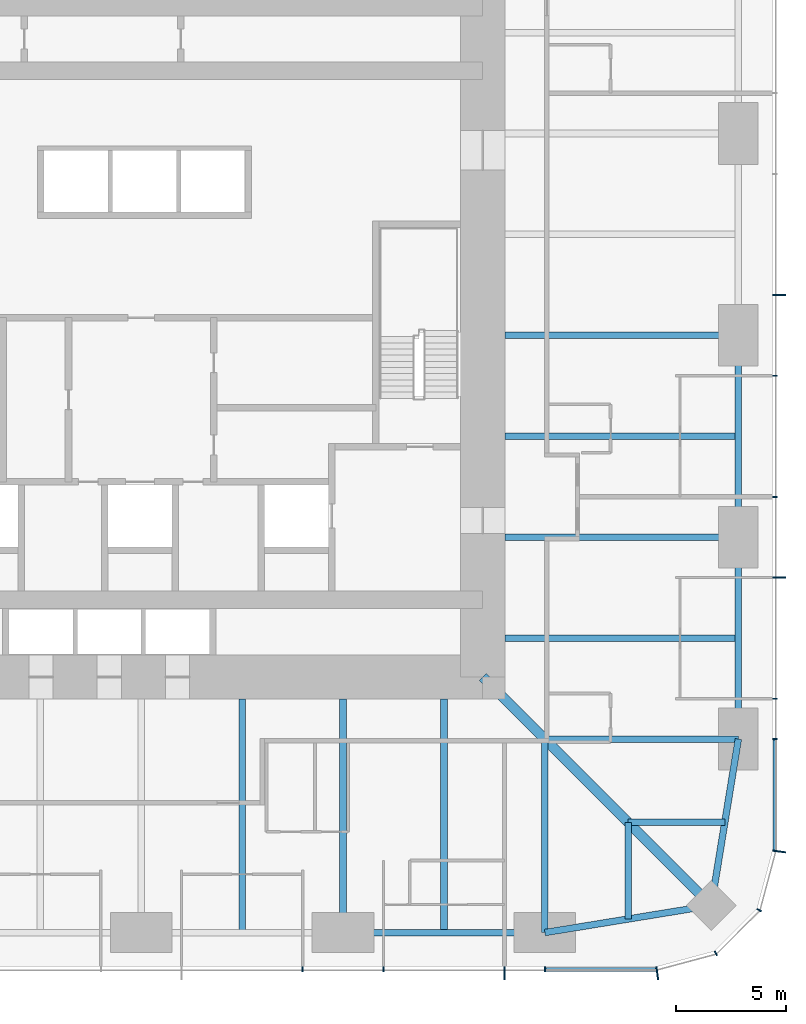
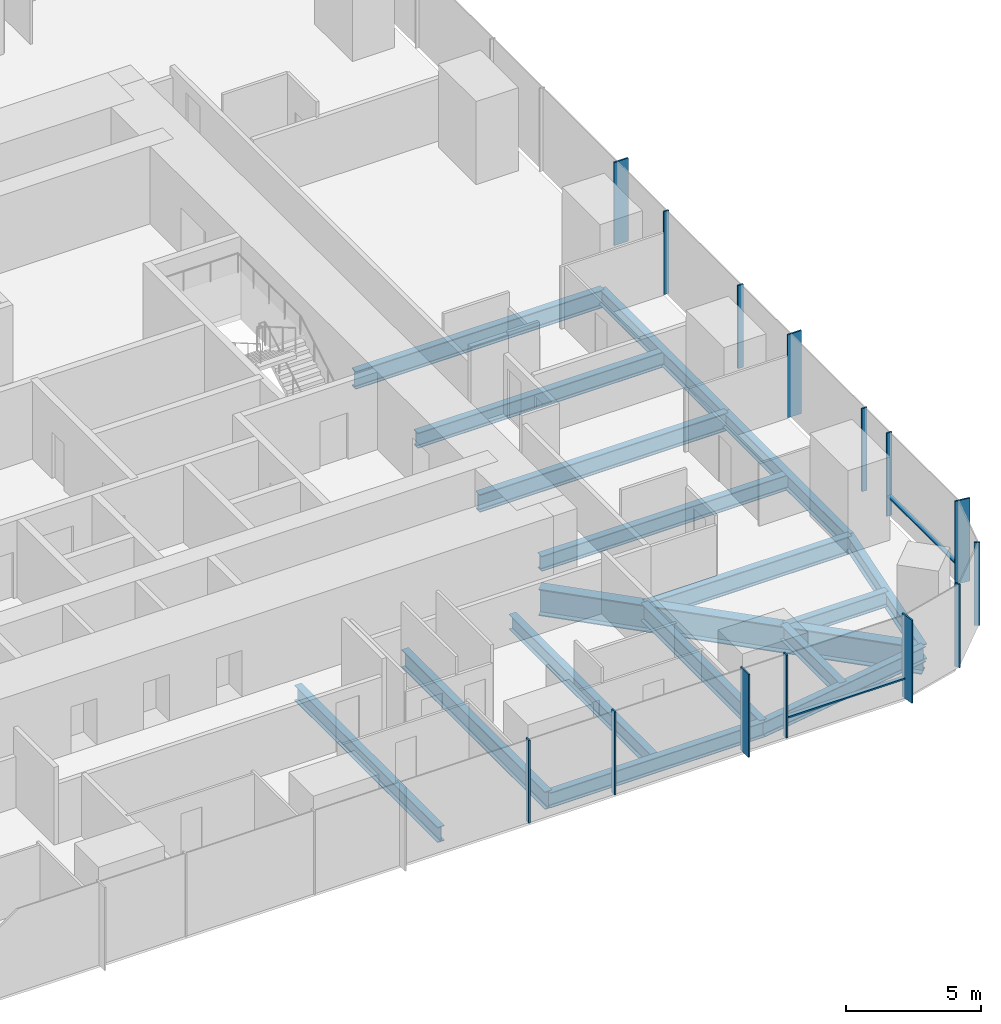
# One storey, part 4 of 13: 17 beams, 16 members, 3 elements without a shape of their own.
"""IFC4 building model written with IfcOpenShell, lengths in metres."""

from ifc_helpers import new_model, si_unit, direction, frame, origin, origin_2d, place, context, subcontext, project, spatial, rectangle, i_section, extrude, material, material_profile, profile_set, type_object, element, aggregate, save


model = new_model("IFC4")

# Units and contexts
model_context = context("Model", 3, precision=1e-05, world=origin(), true_north=direction((0.0, 1.0)))
body_context = subcontext(model_context, "Body", "Model", "MODEL_VIEW")
ifc_project = project(units=[si_unit("LENGTHUNIT", "METRE"), si_unit("AREAUNIT", "SQUARE_METRE"), si_unit("VOLUMEUNIT", "CUBIC_METRE"), si_unit("PLANEANGLEUNIT", "RADIAN"), si_unit("MASSUNIT", "GRAM", prefix="KILO")], contexts=[model_context])

# Site, building, storey
site_placement = place(None, origin())
site = spatial("IfcSite", under=ifc_project, at=site_placement, CompositionType="ELEMENT")
building_placement = place(site_placement, origin())
building = spatial("IfcBuilding", under=site, at=building_placement, Name="Khuree Lantern Residences", CompositionType="ELEMENT")
storey_placement = place(building_placement, frame((0.0, 0.0, 144.75)))
storey = spatial("IfcBuildingStorey", under=building, at=storey_placement, Name="L36", CompositionType="ELEMENT", Elevation=144.75)

# Beams
ifc_material_1 = material(Name="Steel S355", Category="steel")
ifc_material_profile_1 = material_profile(ifc_material_1, i_section(OverallWidth=0.300048828125, OverallDepth=0.68994140625, WebThickness=0.014404296875, FlangeThickness=0.027099609375, FilletRadius=0.027099609375, at=origin_2d()), Name="HE 700 A")
ifc_profile_set_1 = profile_set([ifc_material_profile_1], Name="Steel S355")
beam_type_1 = type_object("IfcBeamType", Name="B-23 SECONDARY BEAM HE 700 A", PredefinedType="BEAM", material=ifc_profile_set_1)
for number, where, z_axis, x_axis, name in (
    (1, (27.10009765625, -4.580078125, -0.594970703125), (-1.0, 0.0, 0.0), (0.0, -1.0, 0.0), "Secondary beam E4"),
    (2, (27.10009765625, -13.739990234375, -0.594970703125), (-1.0, 0.0, 0.0), (0.0, -1.0, 0.0), "Secondary beam E5"),
):
    element("IfcBeam", number, at=place(storey_placement, frame(where, z_axis=z_axis, x_axis=x_axis)), inside=storey, type_object=beam_type_1, Name=name, PredefinedType="BEAM", context=body_context, shape_type="SweptSolid", body=[
        extrude(i_section(OverallWidth=0.300048828125, OverallDepth=0.68994140625, WebThickness=0.014404296875, FlangeThickness=0.027099609375, FilletRadius=0.027099609375, at=origin_2d()), origin(), (0.0, 0.0, 1.0), 10.60009765625),
    ])
for number, where, z_axis, x_axis, name in (
    (3, (26.48486328125, -22.094970703125, -0.594970703125), (-1.0, 0.0, 0.0), (0.0, -1.0, 0.0), "Secondary beam E6"),
    (4, (22.094970703125, -26.48486328125, -0.594970703125), (0.0, 1.0, 0.0), (-1.0, 0.0, 0.0), "Secondary beam S1"),
):
    element("IfcBeam", number, at=place(storey_placement, frame(where, z_axis=z_axis, x_axis=x_axis)), inside=storey, type_object=beam_type_1, Name=name, PredefinedType="BEAM", context=body_context, shape_type="SweptSolid", body=[
        extrude(i_section(OverallWidth=0.300048828125, OverallDepth=0.68994140625, WebThickness=0.014404296875, FlangeThickness=0.027099609375, FilletRadius=0.027099609375, at=origin_2d()), origin(), (0.0, 0.0, 1.0), 4.389892578125),
    ])
for number, where, z_axis, x_axis, name in (
    (5, (13.739990234375, -27.10009765625, -0.594970703125), (0.0, 1.0, 0.0), (-1.0, 0.0, 0.0), "Secondary beam S2"),
    (6, (4.580078125, -27.10009765625, -0.594970703125), (0.0, 1.0, 0.0), (-1.0, 0.0, 0.0), "Secondary beam S3"),
):
    element("IfcBeam", number, at=place(storey_placement, frame(where, z_axis=z_axis, x_axis=x_axis)), inside=storey, type_object=beam_type_1, Name=name, PredefinedType="BEAM", context=body_context, shape_type="SweptSolid", body=[
        extrude(i_section(OverallWidth=0.300048828125, OverallDepth=0.68994140625, WebThickness=0.014404296875, FlangeThickness=0.027099609375, FilletRadius=0.027099609375, at=origin_2d()), origin(), (0.0, 0.0, 1.0), 10.60009765625),
    ])
ifc_material_profile_2 = material_profile(ifc_material_1, i_section(OverallWidth=0.300048828125, OverallDepth=0.68994140625, WebThickness=0.014404296875, FlangeThickness=0.027099609375, FilletRadius=0.027099609375, at=origin_2d()), Name="HE 700 A")
ifc_profile_set_2 = profile_set([ifc_material_profile_2], Name="Steel S355")
beam_type_2 = type_object("IfcBeamType", Name="E-23 SPANDREL BEAM HE 700 A", PredefinedType="SPANDREL", material=ifc_profile_set_2)
beam_1_placement = place(storey_placement, frame((27.10009765625, 0.0, -0.594970703125), z_axis=(0.0, -1.0, 0.0), x_axis=(1.0, 0.0, 0.0)))
element("IfcBeam", 7, at=beam_1_placement, inside=storey, type_object=beam_type_2, Name="Spandrel beam E4", PredefinedType="SPANDREL", context=body_context, shape_type="SweptSolid", body=[
    extrude(i_section(OverallWidth=0.300048828125, OverallDepth=0.68994140625, WebThickness=0.014404296875, FlangeThickness=0.027099609375, FilletRadius=0.027099609375, at=origin_2d()), origin(), (0.0, 0.0, 1.0), 9.159912109375),
])
beam_2_placement = place(storey_placement, frame((27.10009765625, -9.159912109375, -0.594970703125), z_axis=(0.0, -1.0, 0.0), x_axis=(1.0, 0.0, 0.0)))
element("IfcBeam", 8, at=beam_2_placement, inside=storey, type_object=beam_type_2, Name="Spandrel beam E5", PredefinedType="SPANDREL", context=body_context, shape_type="SweptSolid", body=[
    extrude(i_section(OverallWidth=0.300048828125, OverallDepth=0.68994140625, WebThickness=0.014404296875, FlangeThickness=0.027099609375, FilletRadius=0.027099609375, at=origin_2d()), origin(), (0.0, 0.0, 1.0), 9.16015625),
])
for number, where, z_axis, x_axis, name in (
    (9, (27.10009765625, -18.320068359375, -0.594970703125), (-0.160826723833, -0.986982656839, 0.0), (0.986982656839, -0.160826723833, 0.0), "Spandrel beam E6"),
    (10, (25.869873046875, -25.869873046875, -0.594970703125), (-0.986982656839, -0.160826723833, 0.0), (0.160826723833, -0.986982656839, 0.0), "Spandrel beam S1"),
):
    element("IfcBeam", number, at=place(storey_placement, frame(where, z_axis=z_axis, x_axis=x_axis)), inside=storey, type_object=beam_type_2, Name=name, PredefinedType="SPANDREL", context=body_context, shape_type="SweptSolid", body=[
        extrude(i_section(OverallWidth=0.300048828125, OverallDepth=0.68994140625, WebThickness=0.014404296875, FlangeThickness=0.027099609375, FilletRadius=0.027099609375, at=origin_2d()), origin(), (0.0, 0.0, 1.0), 7.6494140625),
    ])
beam_3_placement = place(storey_placement, frame((18.320068359375, -27.10009765625, -0.594970703125), z_axis=(-1.0, 0.0, 0.0), x_axis=(0.0, -1.0, 0.0)))
element("IfcBeam", 11, at=beam_3_placement, inside=storey, type_object=beam_type_2, Name="Spandrel beam S2", PredefinedType="SPANDREL", context=body_context, shape_type="SweptSolid", body=[
    extrude(i_section(OverallWidth=0.300048828125, OverallDepth=0.68994140625, WebThickness=0.014404296875, FlangeThickness=0.027099609375, FilletRadius=0.027099609375, at=origin_2d()), origin(), (0.0, 0.0, 1.0), 9.16015625),
])

# Curtain wall, member
ifc_material_2 = material(Name="Bronze anodised aluminium", Category="aluminium")
curtain_wall_type_1 = type_object("IfcCurtainWallType", Name="CW-T2 TOWER CORNER CURTAIN WALL", PredefinedType="USERDEFINED", material=ifc_material_2)
curtain_wall_1_placement = place(storey_placement, origin())
curtain_wall_1 = element("IfcCurtainWall", 12, at=curtain_wall_1_placement, inside=storey, type_object=curtain_wall_type_1, Name="L36 SOUTH-EAST CORNER CURTAIN WALL", ObjectType="Faceted corner curtain wall", PredefinedType="USERDEFINED")
ifc_material_profile_3 = material_profile(ifc_material_2, rectangle(XDim=0.06494140625, YDim=0.60009765625, at=origin_2d()), Name="F1 65X600")
ifc_profile_set_3 = profile_set([ifc_material_profile_3], Name="Bronze anodised aluminium")
member_type_1 = type_object("IfcMemberType", Name="F1 BRONZE FIN MULLION TOWER 65X600", PredefinedType="MULLION", material=ifc_profile_set_3)
member_1_placement = place(storey_placement, frame((23.419677734375, -28.9501953125, 0.0), z_axis=(0.0, 0.0, 1.0), x_axis=(0.991444857305, 0.130526223125, 0.0)))
member_1 = element("IfcMember", 13, at=member_1_placement, type_object=member_type_1, Name="L36 SOUTH-EAST CORNER FIN MULLION 1", PredefinedType="MULLION", context=body_context, shape_type="SweptSolid", body=[
    extrude(rectangle(XDim=0.06494140625, YDim=0.60009765625, at=origin_2d()), origin(), (0.0, 0.0, 1.0), 3.75),
])

# Curtain wall, members
curtain_wall_type_2 = type_object("IfcCurtainWallType", Name="CW-T1 TOWER FACE CURTAIN WALL", PredefinedType="USERDEFINED", material=ifc_material_2)
curtain_wall_2_placement = place(storey_placement, origin())
curtain_wall_2 = element("IfcCurtainWall", 14, at=curtain_wall_2_placement, inside=storey, type_object=curtain_wall_type_2, Name="L36 EAST FACE CURTAIN WALL", ObjectType="Stick-built curtain wall", PredefinedType="USERDEFINED")
member_2_placement = place(storey_placement, frame((28.9501953125, -23.419677734375, 0.0), z_axis=(0.0, 0.0, 1.0), x_axis=(0.130526223125, 0.991444857305, 0.0)))
member_2 = element("IfcMember", 15, at=member_2_placement, type_object=member_type_1, Name="L36 EAST FACE FIN MULLION 4", PredefinedType="MULLION", context=body_context, shape_type="SweptSolid", body=[
    extrude(rectangle(XDim=0.06494140625, YDim=0.60009765625, at=origin_2d()), origin(), (0.0, 0.0, 1.0), 3.75),
])
member_3_placement = place(storey_placement, frame((28.949951171875, -10.991943359375, 0.0), z_axis=(0.0, 0.0, 1.0), x_axis=(0.0, 1.0, 0.0)))
member_3 = element("IfcMember", 16, at=member_3_placement, type_object=member_type_1, Name="L36 EAST FACE FIN MULLION 7", PredefinedType="MULLION", context=body_context, shape_type="SweptSolid", body=[
    extrude(rectangle(XDim=0.06494140625, YDim=0.60009765625, at=origin_2d()), origin(), (0.0, 0.0, 1.0), 3.75),
])
member_4_placement = place(storey_placement, frame((28.949951171875, 1.83203125, 0.0), z_axis=(0.0, 0.0, 1.0), x_axis=(0.0, 1.0, 0.0)))
member_4 = element("IfcMember", 17, at=member_4_placement, type_object=member_type_1, Name="L36 EAST FACE FIN MULLION 10", PredefinedType="MULLION", context=body_context, shape_type="SweptSolid", body=[
    extrude(rectangle(XDim=0.06494140625, YDim=0.60009765625, at=origin_2d()), origin(), (0.0, 0.0, 1.0), 3.75),
])

# Curtain wall, member
curtain_wall_3_placement = place(storey_placement, origin())
curtain_wall_3 = element("IfcCurtainWall", 18, at=curtain_wall_3_placement, inside=storey, type_object=curtain_wall_type_2, Name="L36 SOUTH FACE CURTAIN WALL", ObjectType="Stick-built curtain wall", PredefinedType="USERDEFINED")
member_5_placement = place(storey_placement, frame((16.488037109375, -28.949951171875, 0.0), z_axis=(0.0, 0.0, 1.0), x_axis=(1.0, 0.0, 0.0)))
member_5 = element("IfcMember", 19, at=member_5_placement, type_object=member_type_1, Name="L36 SOUTH FACE FIN MULLION 55", PredefinedType="MULLION", context=body_context, shape_type="SweptSolid", body=[
    extrude(rectangle(XDim=0.06494140625, YDim=0.60009765625, at=origin_2d()), origin(), (0.0, 0.0, 1.0), 3.75),
])

# Beams
ifc_material_profile_4 = material_profile(ifc_material_1, i_section(OverallWidth=0.300048828125, OverallDepth=0.800048828125, WebThickness=0.017578125, FlangeThickness=0.032958984375, FilletRadius=0.030029296875, at=origin_2d()), Name="HE 800 B")
ifc_profile_set_4 = profile_set([ifc_material_profile_4], Name="Steel S355")
beam_type_3 = type_object("IfcBeamType", Name="G-23 GIRDER HE 800 B", PredefinedType="BEAM", material=ifc_profile_set_4)
for number, where, z_axis, x_axis, name in (
    (20, (27.10009765625, 0.0, -0.64990234375), (-1.0, 0.0, 0.0), (0.0, -1.0, 0.0), "Girder E3"),
    (21, (27.10009765625, -9.159912109375, -0.64990234375), (-1.0, 0.0, 0.0), (0.0, -1.0, 0.0), "Girder E4"),
):
    element("IfcBeam", number, at=place(storey_placement, frame(where, z_axis=z_axis, x_axis=x_axis)), inside=storey, type_object=beam_type_3, Name=name, PredefinedType="BEAM", context=body_context, shape_type="SweptSolid", body=[
        extrude(i_section(OverallWidth=0.300048828125, OverallDepth=0.800048828125, WebThickness=0.017578125, FlangeThickness=0.032958984375, FilletRadius=0.030029296875, at=origin_2d()), origin(), (0.0, 0.0, 1.0), 10.60009765625),
    ])
for number, where, z_axis, x_axis, name in (
    (22, (27.10009765625, -18.320068359375, -0.64990234375), (-1.0, 0.0, 0.0), (0.0, -1.0, 0.0), "Girder E5"),
    (23, (18.320068359375, -27.10009765625, -0.64990234375), (0.0, 1.0, 0.0), (-1.0, 0.0, 0.0), "Girder S1"),
):
    element("IfcBeam", number, at=place(storey_placement, frame(where, z_axis=z_axis, x_axis=x_axis)), inside=storey, type_object=beam_type_3, Name=name, PredefinedType="BEAM", context=body_context, shape_type="SweptSolid", body=[
        extrude(i_section(OverallWidth=0.300048828125, OverallDepth=0.800048828125, WebThickness=0.017578125, FlangeThickness=0.032958984375, FilletRadius=0.030029296875, at=origin_2d()), origin(), (0.0, 0.0, 1.0), 8.780029296875),
    ])
beam_4_placement = place(storey_placement, frame((9.159912109375, -27.10009765625, -0.64990234375), z_axis=(0.0, 1.0, 0.0), x_axis=(-1.0, 0.0, 0.0)))
element("IfcBeam", 24, at=beam_4_placement, inside=storey, type_object=beam_type_3, Name="Girder S2", PredefinedType="BEAM", context=body_context, shape_type="SweptSolid", body=[
    extrude(i_section(OverallWidth=0.300048828125, OverallDepth=0.800048828125, WebThickness=0.017578125, FlangeThickness=0.032958984375, FilletRadius=0.030029296875, at=origin_2d()), origin(), (0.0, 0.0, 1.0), 10.60009765625),
])
ifc_material_profile_5 = material_profile(ifc_material_1, i_section(OverallWidth=0.449951171875, OverallDepth=1.199951171875, WebThickness=0.02490234375, FlangeThickness=0.044921875, at=origin_2d()), Name="WELDED I 1200X450X25X45")
ifc_profile_set_5 = profile_set([ifc_material_profile_5], Name="Steel S355")
beam_type_4 = type_object("IfcBeamType", Name="GD-23 CORNER GIRDER WELDED I 1200X450X25X45", PredefinedType="BEAM", material=ifc_profile_set_5)
beam_5_placement = place(storey_placement, frame((25.869873046875, -25.869873046875, -0.85009765625), z_axis=(-0.707106781187, 0.707106781187, 0.0), x_axis=(-0.707106781187, -0.707106781187, 0.0)))
element("IfcBeam", 25, at=beam_5_placement, inside=storey, type_object=beam_type_4, Name="Corner girder SE", PredefinedType="BEAM", context=body_context, shape_type="SweptSolid", body=[
    extrude(i_section(OverallWidth=0.449951171875, OverallDepth=1.199951171875, WebThickness=0.02490234375, FlangeThickness=0.044921875, at=origin_2d()), origin(), (0.0, 0.0, 1.0), 14.665283203125),
])

# Member
ifc_material_profile_6 = material_profile(ifc_material_2, rectangle(XDim=0.06494140625, YDim=0.219970703125, at=origin_2d()), Name="M1 65X220")
ifc_profile_set_6 = profile_set([ifc_material_profile_6], Name="Bronze anodised aluminium")
member_type_2 = type_object("IfcMemberType", Name="M1 BRONZE MULLION TOWER 65X220", PredefinedType="MULLION", material=ifc_profile_set_6)
member_6_placement = place(storey_placement, frame((26.080078125, -28.0419921875, 0.0), z_axis=(0.0, 0.0, 1.0), x_axis=(0.866025388199, 0.500000026995, 0.0)))
member_6 = element("IfcMember", 26, at=member_6_placement, type_object=member_type_2, Name="L36 SOUTH-EAST CORNER MULLION 2", PredefinedType="MULLION", context=body_context, shape_type="SweptSolid", body=[
    extrude(rectangle(XDim=0.06494140625, YDim=0.219970703125, at=origin_2d()), origin(), (0.0, 0.0, 1.0), 3.75),
])

member_7_placement = place(storey_placement, frame((28.0419921875, -26.080078125, 0.0), z_axis=(0.0, 0.0, 1.0), x_axis=(0.500000026995, 0.866025388199, 0.0)))
member_7 = element("IfcMember", 27, at=member_7_placement, type_object=member_type_2, Name="L36 SOUTH-EAST CORNER MULLION 3", PredefinedType="MULLION", context=body_context, shape_type="SweptSolid", body=[
    extrude(rectangle(XDim=0.06494140625, YDim=0.219970703125, at=origin_2d()), origin(), (0.0, 0.0, 1.0), 3.75),
])

aggregate(curtain_wall_1, [member_1, member_6, member_7])

member_8_placement = place(storey_placement, frame((28.760009765625, -18.320068359375, 0.0), z_axis=(0.0, 0.0, 1.0), x_axis=(0.0, 1.0, 0.0)))
member_8 = element("IfcMember", 28, at=member_8_placement, type_object=member_type_2, Name="L36 EAST FACE MULLION 5", PredefinedType="MULLION", context=body_context, shape_type="SweptSolid", body=[
    extrude(rectangle(XDim=0.06494140625, YDim=0.219970703125, at=origin_2d()), origin(), (0.0, 0.0, 1.0), 3.75),
])

member_9_placement = place(storey_placement, frame((28.760009765625, -16.488037109375, 0.0), z_axis=(0.0, 0.0, 1.0), x_axis=(0.0, 1.0, 0.0)))
member_9 = element("IfcMember", 29, at=member_9_placement, type_object=member_type_2, Name="L36 EAST FACE MULLION 6", PredefinedType="MULLION", context=body_context, shape_type="SweptSolid", body=[
    extrude(rectangle(XDim=0.06494140625, YDim=0.219970703125, at=origin_2d()), origin(), (0.0, 0.0, 1.0), 3.75),
])

member_10_placement = place(storey_placement, frame((28.760009765625, -7.327880859375, 0.0), z_axis=(0.0, 0.0, 1.0), x_axis=(0.0, 1.0, 0.0)))
member_10 = element("IfcMember", 30, at=member_10_placement, type_object=member_type_2, Name="L36 EAST FACE MULLION 8", PredefinedType="MULLION", context=body_context, shape_type="SweptSolid", body=[
    extrude(rectangle(XDim=0.06494140625, YDim=0.219970703125, at=origin_2d()), origin(), (0.0, 0.0, 1.0), 3.75),
])

member_11_placement = place(storey_placement, frame((28.760009765625, -1.83203125, 0.0), z_axis=(0.0, 0.0, 1.0), x_axis=(0.0, 1.0, 0.0)))
member_11 = element("IfcMember", 31, at=member_11_placement, type_object=member_type_2, Name="L36 EAST FACE MULLION 9", PredefinedType="MULLION", context=body_context, shape_type="SweptSolid", body=[
    extrude(rectangle(XDim=0.06494140625, YDim=0.219970703125, at=origin_2d()), origin(), (0.0, 0.0, 1.0), 3.75),
])

member_12_placement = place(storey_placement, frame((7.327880859375, -28.760009765625, 0.0), z_axis=(0.0, 0.0, 1.0), x_axis=(1.0, 0.0, 0.0)))
member_12 = element("IfcMember", 32, at=member_12_placement, type_object=member_type_2, Name="L36 SOUTH FACE MULLION 53", PredefinedType="MULLION", context=body_context, shape_type="SweptSolid", body=[
    extrude(rectangle(XDim=0.06494140625, YDim=0.219970703125, at=origin_2d()), origin(), (0.0, 0.0, 1.0), 3.75),
])

member_13_placement = place(storey_placement, frame((10.991943359375, -28.760009765625, 0.0), z_axis=(0.0, 0.0, 1.0), x_axis=(1.0, 0.0, 0.0)))
member_13 = element("IfcMember", 33, at=member_13_placement, type_object=member_type_2, Name="L36 SOUTH FACE MULLION 54", PredefinedType="MULLION", context=body_context, shape_type="SweptSolid", body=[
    extrude(rectangle(XDim=0.06494140625, YDim=0.219970703125, at=origin_2d()), origin(), (0.0, 0.0, 1.0), 3.75),
])

member_14_placement = place(storey_placement, frame((18.320068359375, -28.760009765625, 0.0), z_axis=(0.0, 0.0, 1.0), x_axis=(1.0, 0.0, 0.0)))
member_14 = element("IfcMember", 34, at=member_14_placement, type_object=member_type_2, Name="L36 SOUTH FACE MULLION 56", PredefinedType="MULLION", context=body_context, shape_type="SweptSolid", body=[
    extrude(rectangle(XDim=0.06494140625, YDim=0.219970703125, at=origin_2d()), origin(), (0.0, 0.0, 1.0), 3.75),
])

ifc_material_profile_7 = material_profile(ifc_material_2, rectangle(XDim=0.179931640625, YDim=0.06494140625, at=origin_2d()), Name="T1 180X65")
ifc_profile_set_7 = profile_set([ifc_material_profile_7], Name="Bronze anodised aluminium")
member_type_3 = type_object("IfcMemberType", Name="TRANSOM T1 TOWER 180X65", PredefinedType="USERDEFINED", material=ifc_profile_set_7)
member_15_placement = place(storey_placement, frame((28.77001953125, -23.351318359375, 0.89990234375), z_axis=(0.0, 1.0, 0.0), x_axis=(-1.0, 0.0, 0.0)))
member_15 = element("IfcMember", 35, at=member_15_placement, type_object=member_type_3, Name="L36 EAST FACE TRANSOM 4.1", ObjectType="Transom", PredefinedType="USERDEFINED", context=body_context, shape_type="SweptSolid", body=[
    extrude(rectangle(XDim=0.179931640625, YDim=0.06494140625, at=origin_2d()), origin(), (0.0, 0.0, 1.0), 4.998779296875),
])

aggregate(curtain_wall_2, [member_2, member_8, member_9, member_3, member_10, member_11, member_4, member_15])

member_16_placement = place(storey_placement, frame((18.3525390625, -28.77001953125, 0.89990234375), z_axis=(1.0, 0.0, 0.0), x_axis=(0.0, 1.0, 0.0)))
member_16 = element("IfcMember", 36, at=member_16_placement, type_object=member_type_3, Name="L36 SOUTH FACE TRANSOM 56.1", ObjectType="Transom", PredefinedType="USERDEFINED", context=body_context, shape_type="SweptSolid", body=[
    extrude(rectangle(XDim=0.179931640625, YDim=0.06494140625, at=origin_2d()), origin(), (0.0, 0.0, 1.0), 4.998779296875),
])

aggregate(curtain_wall_3, [member_12, member_13, member_5, member_14, member_16])

save(model, "model.ifc")
